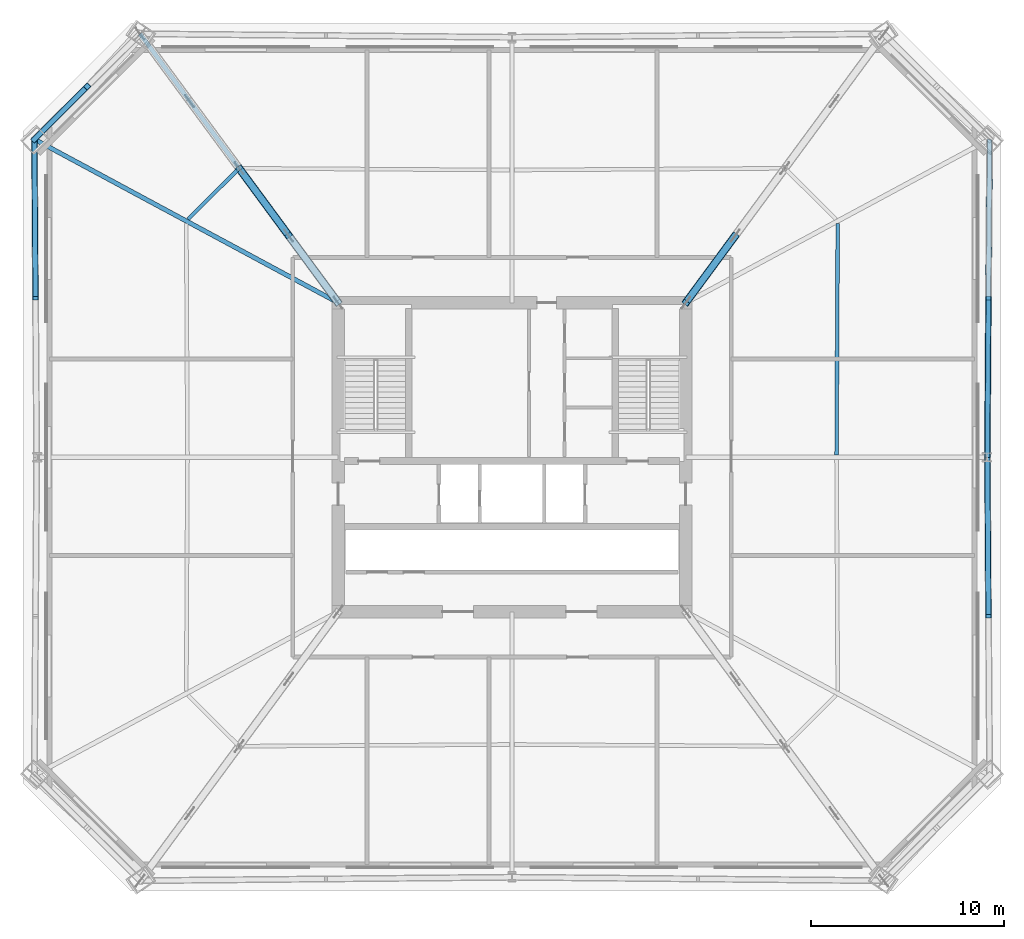
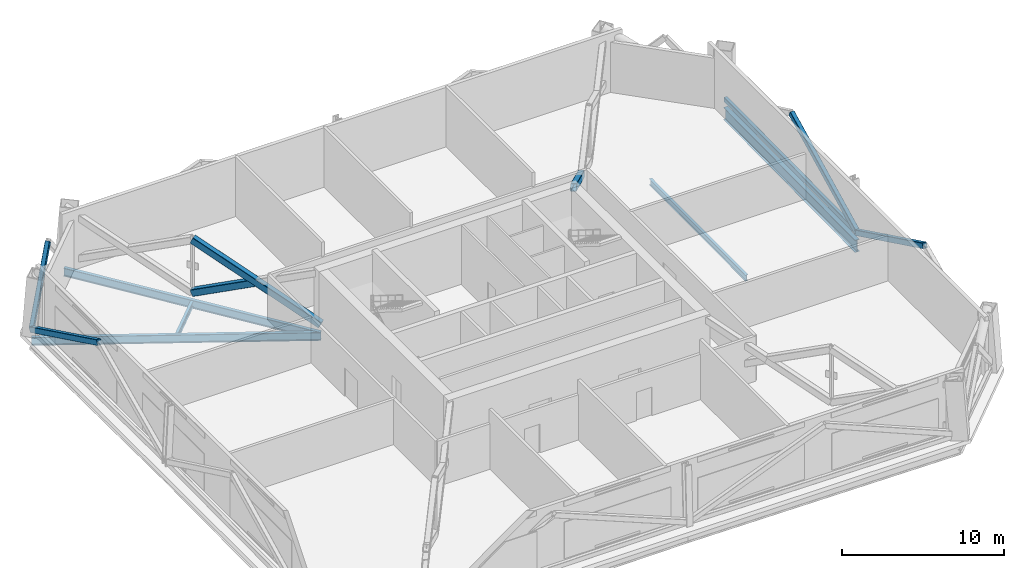
# One storey, part 5 of 14: 8 members, 5 beams.
"""IFC4 building model written with IfcOpenShell, lengths in metres."""

from ifc_helpers import new_model, si_unit, direction, frame, origin, origin_2d, place, context, subcontext, project, spatial, hollow_rectangle, i_section, extrude, material, material_profile, profile_set, type_object, element, save


model = new_model("IFC4")

# Units and contexts
model_context = context("Model", 3, precision=1e-05, world=origin(), true_north=direction((0.0, 1.0)))
body_context = subcontext(model_context, "Body", "Model", "MODEL_VIEW")
ifc_project = project(units=[si_unit("LENGTHUNIT", "METRE"), si_unit("AREAUNIT", "SQUARE_METRE"), si_unit("VOLUMEUNIT", "CUBIC_METRE"), si_unit("PLANEANGLEUNIT", "RADIAN"), si_unit("MASSUNIT", "GRAM", prefix="KILO")], contexts=[model_context])

# Site, building, storey
site_placement = place(None, origin())
site = spatial("IfcSite", under=ifc_project, at=site_placement, CompositionType="ELEMENT")
building_placement = place(site_placement, origin())
building = spatial("IfcBuilding", under=site, at=building_placement, Name="Caelvoria Tower", CompositionType="ELEMENT")
storey_placement = place(building_placement, frame((0.0, 0.0, 85.60009765625)))
storey = spatial("IfcBuildingStorey", under=building, at=storey_placement, Name="L22", CompositionType="ELEMENT", Elevation=85.60009765625)

# Members
ifc_material_1 = material(Name="Structural Steel ASTM A572 Gr.50", Category="steel")
ifc_material_profile_1 = material_profile(ifc_material_1, hollow_rectangle(XDim=0.25, YDim=0.35009765625, WallThickness=0.013916015625, InnerFilletRadius=0.013916015625, OuterFilletRadius=0.028076171875, at=origin_2d()), Name="Structural Steel ASTM A572 Gr.50")
ifc_profile_set_1 = profile_set([ifc_material_profile_1], Name="HSS350X250X14 - Structural Steel ASTM A572 Gr.50")
member_type_1 = type_object("IfcMemberType", Name="Belt Truss Chord Member HSS350X250X14", PredefinedType="CHORD", material=ifc_profile_set_1)
member_1_placement = place(storey_placement, frame((70.61328125, 32.0, 0.25), z_axis=(0.007323530098, 0.999973182594, 0.0), x_axis=(-0.999973182594, 0.007323530098, 0.0)))
element("IfcMember", 1, at=member_1_placement, inside=storey, type_object=member_type_1, Name="Belt Truss Bottom Chord L22-04", PredefinedType="CHORD", context=body_context, shape_type="SweptSolid", body=[
    extrude(hollow_rectangle(XDim=0.25, YDim=0.35009765625, WallThickness=0.013916015625, InnerFilletRadius=0.013916015625, OuterFilletRadius=0.028076171875, at=origin_2d()), origin(), (0.0, 0.0, 1.0), 16.46826171875),
])
ifc_material_profile_2 = material_profile(ifc_material_1, hollow_rectangle(XDim=0.300048828125, YDim=0.39990234375, WallThickness=0.01611328125, InnerFilletRadius=0.01611328125, OuterFilletRadius=0.031982421875, at=origin_2d()), Name="Structural Steel ASTM A572 Gr.50")
ifc_profile_set_2 = profile_set([ifc_material_profile_2], Name="HSS400X300X16 - Structural Steel ASTM A572 Gr.50")
member_type_2 = type_object("IfcMemberType", Name="Belt Truss Diagonal HSS400X300X16", PredefinedType="BRACE", material=ifc_profile_set_2)
for number, where, z_axis, x_axis, name in (
    (2, (70.673583984375, 23.76611328125, 4.22998046875), (-0.006593681882, 0.900317875093, -0.435183004203), (-0.999973182594, -0.007323530098, 0.0), "Belt Truss Diagonal L22-03B"),
    (3, (70.61328125, 32.0, 0.25), (0.006593681882, 0.900317875093, 0.435183004203), (-0.999973182594, 0.007323530098, 0.0), "Belt Truss Diagonal L22-04A"),
):
    element("IfcMember", number, at=place(storey_placement, frame(where, z_axis=z_axis, x_axis=x_axis)), inside=storey, type_object=member_type_2, Name=name, PredefinedType="BRACE", context=body_context, shape_type="SweptSolid", body=[
        extrude(hollow_rectangle(XDim=0.300048828125, YDim=0.39990234375, WallThickness=0.01611328125, InnerFilletRadius=0.01611328125, OuterFilletRadius=0.031982421875, at=origin_2d()), origin(), (0.0, 0.0, 1.0), 9.1455078125),
    ])
member_2_placement = place(storey_placement, frame((24.00390625, 51.19677734375, 4.22998046875), z_axis=(-0.493450508145, -0.491866397365, -0.717338165132), x_axis=(0.705969041186, -0.708242693493, 0.0)))
element("IfcMember", 4, at=member_2_placement, inside=storey, type_object=member_type_2, Name="Belt Truss Diagonal L22-08B", PredefinedType="BRACE", context=body_context, shape_type="SweptSolid", body=[
    extrude(hollow_rectangle(XDim=0.300048828125, YDim=0.39990234375, WallThickness=0.01611328125, InnerFilletRadius=0.01611328125, OuterFilletRadius=0.031982421875, at=origin_2d()), origin(), (0.0, 0.0, 1.0), 5.54833984375),
])
member_3_placement = place(storey_placement, frame((21.26611328125, 48.4677734375, 0.25), z_axis=(0.006593681882, -0.900317875093, 0.435183004203), x_axis=(0.999973182594, 0.007323530098, 0.0)))
element("IfcMember", 5, at=member_3_placement, inside=storey, type_object=member_type_2, Name="Belt Truss Diagonal L22-09A", PredefinedType="BRACE", context=body_context, shape_type="SweptSolid", body=[
    extrude(hollow_rectangle(XDim=0.300048828125, YDim=0.39990234375, WallThickness=0.01611328125, InnerFilletRadius=0.01611328125, OuterFilletRadius=0.031982421875, at=origin_2d()), origin(), (0.0, 0.0, 1.0), 9.1455078125),
])
ifc_material_profile_3 = material_profile(ifc_material_1, hollow_rectangle(XDim=0.39990234375, YDim=0.5, WallThickness=0.02197265625, InnerFilletRadius=0.02197265625, OuterFilletRadius=0.0439453125, at=origin_2d()), Name="Structural Steel ASTM A572 Gr.50")
ifc_profile_set_3 = profile_set([ifc_material_profile_3], Name="HSS500X400X22 - Structural Steel ASTM A572 Gr.50")
member_type_3 = type_object("IfcMemberType", Name="Outrigger Diagonal HSS500X400X22", PredefinedType="BRACE", material=ifc_profile_set_3)
member_4_placement = place(storey_placement, frame((55.0, 40.0, 4.22998046875), z_axis=(0.538758474541, 0.731406687638, -0.418071242001), x_axis=(-0.805146653518, 0.593075767781, 0.0)))
element("IfcMember", 6, at=member_4_placement, inside=storey, type_object=member_type_3, Name="Outrigger Truss Diagonal L22-NE-1B1", PredefinedType="BRACE", context=body_context, shape_type="SweptSolid", body=[
    extrude(hollow_rectangle(XDim=0.39990234375, YDim=0.5, WallThickness=0.02197265625, InnerFilletRadius=0.02197265625, OuterFilletRadius=0.0439453125, at=origin_2d()), origin(), (0.0, 0.0, 1.0), 4.760009765625),
])
member_5_placement = place(storey_placement, frame((37.0, 40.0, 0.25), z_axis=(-0.538776675709, 0.731396581999, 0.418065465629), x_axis=(-0.805133172892, -0.593094068348, 0.0)))
element("IfcMember", 7, at=member_5_placement, inside=storey, type_object=member_type_3, Name="Outrigger Truss Diagonal L22-NW-1A", PredefinedType="BRACE", context=body_context, shape_type="SweptSolid", body=[
    extrude(hollow_rectangle(XDim=0.39990234375, YDim=0.5, WallThickness=0.02197265625, InnerFilletRadius=0.02197265625, OuterFilletRadius=0.0439453125, at=origin_2d()), origin(), (0.0, 0.0, 1.0), 9.52001953125),
])
member_6_placement = place(storey_placement, frame((34.435546875, 43.4814453125, 2.239990234375), z_axis=(-0.538794876123, 0.731386476298, -0.418059689222), x_axis=(-0.805119692301, -0.593112367996, 0.0)))
element("IfcMember", 8, at=member_6_placement, inside=storey, type_object=member_type_3, Name="Outrigger Truss Diagonal L22-NW-1B2", PredefinedType="BRACE", context=body_context, shape_type="SweptSolid", body=[
    extrude(hollow_rectangle(XDim=0.39990234375, YDim=0.5, WallThickness=0.02197265625, InnerFilletRadius=0.02197265625, OuterFilletRadius=0.0439453125, at=origin_2d()), origin(), (0.0, 0.0, 1.0), 4.760009765625),
])

# Beams
ifc_material_2 = material(Name="Structural Steel ASTM A992 Gr.50", Category="steel")
ifc_material_profile_4 = material_profile(ifc_material_2, i_section(OverallWidth=0.30810546875, OverallDepth=0.927001953125, WebThickness=0.019287109375, FlangeThickness=0.031982421875, FilletRadius=0.02392578125, at=origin_2d()), Name="Structural Steel ASTM A992 Gr.50")
ifc_profile_set_4 = profile_set([ifc_material_profile_4], Name="W920X289 - Structural Steel ASTM A992 Gr.50")
beam_type_1 = type_object("IfcBeamType", Name="Outrigger Tie Girder W920X289", PredefinedType="BEAM", material=ifc_profile_set_4)
beam_1_placement = place(storey_placement, frame((70.61328125, 32.0, -0.78369140625), z_axis=(0.007323530098, 0.999973182594, 0.0), x_axis=(-0.999973182594, 0.007323530098, 0.0)))
element("IfcBeam", 9, at=beam_1_placement, inside=storey, type_object=beam_type_1, Name="Perimeter Spandrel Girder L22-04", PredefinedType="BEAM", context=body_context, shape_type="SweptSolid", body=[
    extrude(i_section(OverallWidth=0.30810546875, OverallDepth=0.927001953125, WebThickness=0.019287109375, FlangeThickness=0.031982421875, FilletRadius=0.02392578125, at=origin_2d()), origin(), (0.0, 0.0, 1.0), 16.46826171875),
])
ifc_material_profile_5 = material_profile(ifc_material_2, i_section(OverallWidth=0.22900390625, OverallDepth=0.612060546875, WebThickness=0.011962890625, FlangeThickness=0.01953125, FilletRadius=0.01806640625, at=origin_2d()), Name="Structural Steel ASTM A992 Gr.50")
ifc_profile_set_5 = profile_set([ifc_material_profile_5], Name="W610X125 - Structural Steel ASTM A992 Gr.50")
beam_type_2 = type_object("IfcBeamType", Name="Primary Radial Floor Girder W610X125", PredefinedType="BEAM", material=ifc_profile_set_5)
beam_2_placement = place(storey_placement, frame((37.0, 40.0, -0.6259765625), z_axis=(-0.593094068348, 0.805133172892, 0.0), x_axis=(-0.805133172892, -0.593094068348, 0.0)))
element("IfcBeam", 10, at=beam_2_placement, inside=storey, type_object=beam_type_2, Name="Primary Floor Girder L22-08", PredefinedType="BEAM", context=body_context, shape_type="SweptSolid", body=[
    extrude(i_section(OverallWidth=0.22900390625, OverallDepth=0.612060546875, WebThickness=0.011962890625, FlangeThickness=0.01953125, FilletRadius=0.01806640625, at=origin_2d()), origin(), (0.0, 0.0, 1.0), 17.296142578125),
])
beam_3_placement = place(storey_placement, frame((37.0, 40.0, -0.6259765625), z_axis=(-0.880571990925, 0.473912406251, 0.0), x_axis=(-0.473912406251, -0.880571990925, 0.0)))
element("IfcBeam", 11, at=beam_3_placement, inside=storey, type_object=beam_type_2, Name="Primary Floor Girder L22-09", PredefinedType="BEAM", context=body_context, shape_type="SweptSolid", body=[
    extrude(i_section(OverallWidth=0.22900390625, OverallDepth=0.612060546875, WebThickness=0.011962890625, FlangeThickness=0.01953125, FilletRadius=0.01806640625, at=origin_2d()), origin(), (0.0, 0.0, 1.0), 17.867919921875),
])
ifc_material_profile_6 = material_profile(ifc_material_2, i_section(OverallWidth=0.18994140625, OverallDepth=0.45703125, WebThickness=0.009033203125, FlangeThickness=0.014404296875, FilletRadius=0.014892578125, at=origin_2d()), Name="Structural Steel ASTM A992 Gr.50")
ifc_profile_set_6 = profile_set([ifc_material_profile_6], Name="W460X74 - Structural Steel ASTM A992 Gr.50")
beam_type_3 = type_object("IfcBeamType", Name="Secondary Floor Beam W460X74", PredefinedType="BEAM", material=ifc_profile_set_6)
beam_4_placement = place(storey_placement, frame((62.80712890625, 32.125, -0.548583984375), z_axis=(0.004950434389, 0.999987746525, 0.0), x_axis=(-0.999987746525, 0.004950434389, 0.0)))
element("IfcBeam", 12, at=beam_4_placement, inside=storey, type_object=beam_type_3, Name="Secondary Floor Beam L22-04", PredefinedType="BEAM", context=body_context, shape_type="SweptSolid", body=[
    extrude(i_section(OverallWidth=0.18994140625, OverallDepth=0.45703125, WebThickness=0.009033203125, FlangeThickness=0.014404296875, FilletRadius=0.014892578125, at=origin_2d()), origin(), (0.0, 0.0, 1.0), 11.984130859375),
])
beam_5_placement = place(storey_placement, frame((31.782470703125, 46.874755859375, -0.548583984375), z_axis=(-0.70825363913, -0.705958060128, 0.0), x_axis=(0.705958060128, -0.70825363913, 0.0)))
element("IfcBeam", 13, at=beam_5_placement, inside=storey, type_object=beam_type_3, Name="Secondary Floor Beam L22-08", PredefinedType="BEAM", context=body_context, shape_type="SweptSolid", body=[
    extrude(i_section(OverallWidth=0.18994140625, OverallDepth=0.45703125, WebThickness=0.009033203125, FlangeThickness=0.014404296875, FilletRadius=0.014892578125, at=origin_2d()), origin(), (0.0, 0.0, 1.0), 3.615966796875),
])

save(model, "model.ifc")
